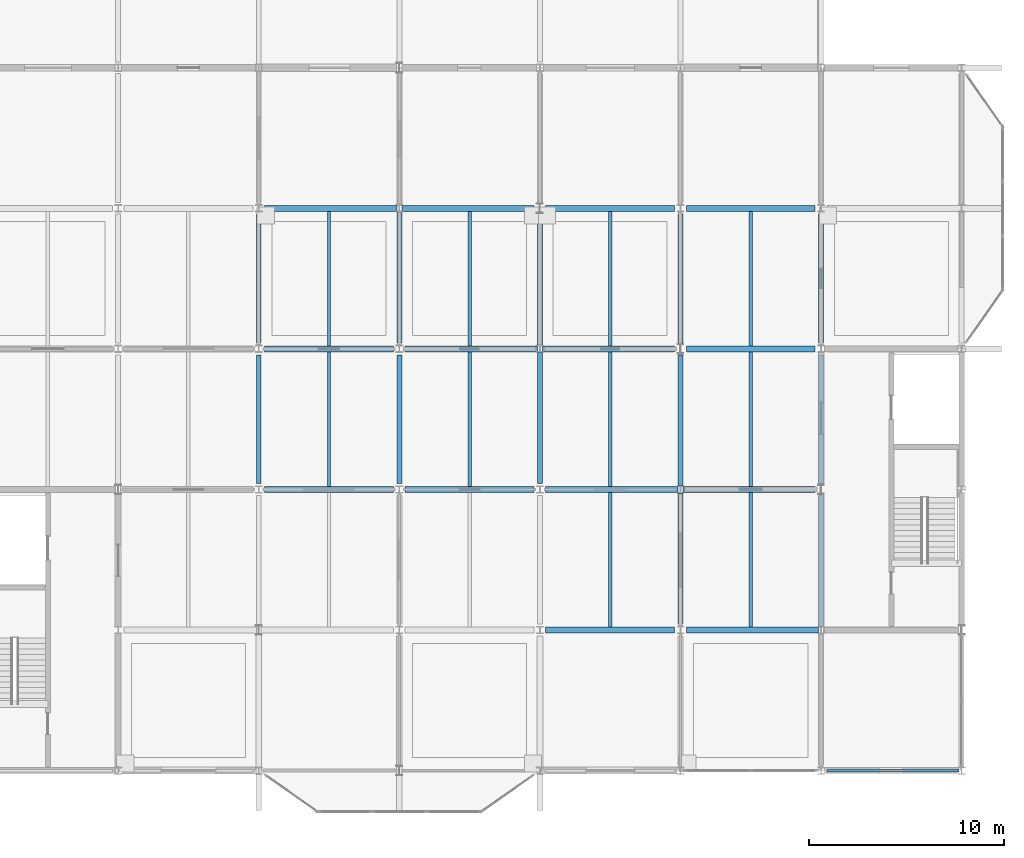
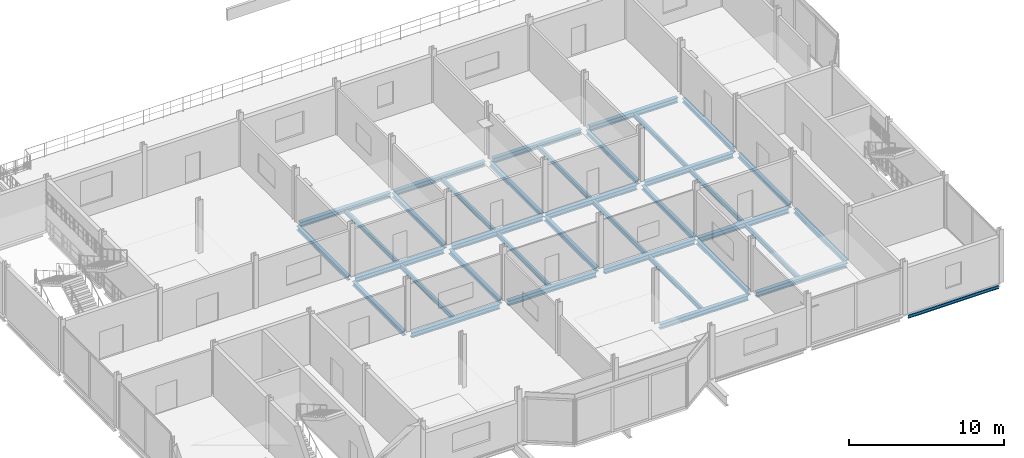
# One storey, part 12 of 26: 37 beams.
"""IFC4 building model written with IfcOpenShell, lengths in metres."""

from ifc_helpers import new_model, si_unit, direction, frame, origin, origin_2d, place, context, subcontext, project, spatial, i_section, extrude, material, material_profile, profile_set, type_object, element, save


model = new_model("IFC4")

# Units and contexts
model_context = context("Model", 3, precision=1e-05, world=origin(), true_north=direction((0.0, 1.0)))
body_context = subcontext(model_context, "Body", "Model", "MODEL_VIEW")
ifc_project = project(units=[si_unit("LENGTHUNIT", "METRE"), si_unit("AREAUNIT", "SQUARE_METRE"), si_unit("VOLUMEUNIT", "CUBIC_METRE"), si_unit("PLANEANGLEUNIT", "RADIAN"), si_unit("MASSUNIT", "GRAM", prefix="KILO")], contexts=[model_context])

# Site, building, storey
site_placement = place(None, origin())
site = spatial("IfcSite", under=ifc_project, at=site_placement, CompositionType="ELEMENT")
building_placement = place(site_placement, origin())
building = spatial("IfcBuilding", under=site, at=building_placement, Name="Vesperath Aquatics Centre", CompositionType="ELEMENT")
storey_placement = place(building_placement, frame((0.0, 0.0, 19.199951171875)))
storey = spatial("IfcBuildingStorey", under=building, at=storey_placement, Name="L04", CompositionType="ELEMENT", Elevation=19.199951171875)

# Beams
ifc_material = material(Name="Steel Q355C", Category="steel")
ifc_material_profile_1 = material_profile(ifc_material, i_section(OverallWidth=0.300048828125, OverallDepth=0.389892578125, WebThickness=0.010009765625, FlangeThickness=0.01611328125, FilletRadius=0.02197265625, at=origin_2d()), Name="HM 390x300x10x16")
ifc_profile_set_1 = profile_set([ifc_material_profile_1], Name="Steel Q355C")
beam_type_1 = type_object("IfcBeamType", Name="BM-G11", PredefinedType="BEAM", material=ifc_profile_set_1)
for number, where, z_axis, x_axis, name in (
    (1, (137.10009765625, 14.39990234375, -0.43505859375), (1.0, 0.0, 0.0), (0.0, 1.0, 0.0), "Floor Girder B11 L04 C 20-21"),
    (2, (137.10009765625, 21.60009765625, -0.43505859375), (1.0, 0.0, 0.0), (0.0, 1.0, 0.0), "Floor Girder B11 L04 D 20-21"),
):
    element("IfcBeam", number, at=place(storey_placement, frame(where, z_axis=z_axis, x_axis=x_axis)), inside=storey, type_object=beam_type_1, Name=name, PredefinedType="BEAM", context=body_context, shape_type="SweptSolid", body=[
        extrude(i_section(OverallWidth=0.300048828125, OverallDepth=0.389892578125, WebThickness=0.010009765625, FlangeThickness=0.01611328125, FilletRadius=0.02197265625, at=origin_2d()), origin(), (0.0, 0.0, 1.0), 6.599853515625),
    ])
beam_1_placement = place(storey_placement, frame((137.10009765625, 28.800048828125, -0.43505859375), z_axis=(1.0, 0.0, 0.0), x_axis=(0.0, 1.0, 0.0)))
element("IfcBeam", 3, at=beam_1_placement, inside=storey, type_object=beam_type_1, Name="Floor Girder B11 L04 E 20-21", PredefinedType="BEAM", context=body_context, shape_type="SweptSolid", body=[
    extrude(i_section(OverallWidth=0.300048828125, OverallDepth=0.389892578125, WebThickness=0.010009765625, FlangeThickness=0.01611328125, FilletRadius=0.02197265625, at=origin_2d()), origin(), (0.0, 0.0, 1.0), 6.77490234375),
])
beam_2_placement = place(storey_placement, frame((144.300048828125, 14.39990234375, -0.43505859375), z_axis=(1.0, 0.0, 0.0), x_axis=(0.0, 1.0, 0.0)))
element("IfcBeam", 4, at=beam_2_placement, inside=storey, type_object=beam_type_1, Name="Floor Girder B11 L04 C 21-22", PredefinedType="BEAM", context=body_context, shape_type="SweptSolid", body=[
    extrude(i_section(OverallWidth=0.300048828125, OverallDepth=0.389892578125, WebThickness=0.010009765625, FlangeThickness=0.01611328125, FilletRadius=0.02197265625, at=origin_2d()), origin(), (0.0, 0.0, 1.0), 6.599853515625),
])
for number, where, z_axis, x_axis, name in (
    (5, (144.300048828125, 21.60009765625, -0.43505859375), (1.0, 0.0, 0.0), (0.0, 1.0, 0.0), "Floor Girder B11 L04 D 21-22"),
    (6, (144.125, 28.800048828125, -0.43505859375), (1.0, 0.0, 0.0), (0.0, 1.0, 0.0), "Floor Girder B11 L04 E 21-22"),
):
    element("IfcBeam", number, at=place(storey_placement, frame(where, z_axis=z_axis, x_axis=x_axis)), inside=storey, type_object=beam_type_1, Name=name, PredefinedType="BEAM", context=body_context, shape_type="SweptSolid", body=[
        extrude(i_section(OverallWidth=0.300048828125, OverallDepth=0.389892578125, WebThickness=0.010009765625, FlangeThickness=0.01611328125, FilletRadius=0.02197265625, at=origin_2d()), origin(), (0.0, 0.0, 1.0), 6.77490234375),
    ])
beam_3_placement = place(storey_placement, frame((151.5, 7.199951171875, -0.43505859375), z_axis=(1.0, 0.0, 0.0), x_axis=(0.0, 1.0, 0.0)))
element("IfcBeam", 7, at=beam_3_placement, inside=storey, type_object=beam_type_1, Name="Floor Girder B11 L04 B 22-23", PredefinedType="BEAM", context=body_context, shape_type="SweptSolid", body=[
    extrude(i_section(OverallWidth=0.300048828125, OverallDepth=0.389892578125, WebThickness=0.010009765625, FlangeThickness=0.01611328125, FilletRadius=0.02197265625, at=origin_2d()), origin(), (0.0, 0.0, 1.0), 6.60009765625),
])
beam_4_placement = place(storey_placement, frame((151.5, 14.39990234375, -0.43505859375), z_axis=(1.0, 0.0, 0.0), x_axis=(0.0, 1.0, 0.0)))
element("IfcBeam", 8, at=beam_4_placement, inside=storey, type_object=beam_type_1, Name="Floor Girder B11 L04 C 22-23", PredefinedType="BEAM", context=body_context, shape_type="SweptSolid", body=[
    extrude(i_section(OverallWidth=0.300048828125, OverallDepth=0.389892578125, WebThickness=0.010009765625, FlangeThickness=0.01611328125, FilletRadius=0.02197265625, at=origin_2d()), origin(), (0.0, 0.0, 1.0), 6.77490234375),
])
beam_5_placement = place(storey_placement, frame((151.324951171875, 21.60009765625, -0.43505859375), z_axis=(1.0, 0.0, 0.0), x_axis=(0.0, 1.0, 0.0)))
element("IfcBeam", 9, at=beam_5_placement, inside=storey, type_object=beam_type_1, Name="Floor Girder B11 L04 D 22-23", PredefinedType="BEAM", context=body_context, shape_type="SweptSolid", body=[
    extrude(i_section(OverallWidth=0.300048828125, OverallDepth=0.389892578125, WebThickness=0.010009765625, FlangeThickness=0.01611328125, FilletRadius=0.02197265625, at=origin_2d()), origin(), (0.0, 0.0, 1.0), 6.775146484375),
])
beam_6_placement = place(storey_placement, frame((151.5, 28.800048828125, -0.43505859375), z_axis=(1.0, 0.0, 0.0), x_axis=(0.0, 1.0, 0.0)))
element("IfcBeam", 10, at=beam_6_placement, inside=storey, type_object=beam_type_1, Name="Floor Girder B11 L04 E 22-23", PredefinedType="BEAM", context=body_context, shape_type="SweptSolid", body=[
    extrude(i_section(OverallWidth=0.300048828125, OverallDepth=0.389892578125, WebThickness=0.010009765625, FlangeThickness=0.01611328125, FilletRadius=0.02197265625, at=origin_2d()), origin(), (0.0, 0.0, 1.0), 6.60009765625),
])
for number, where, z_axis, x_axis, name in (
    (11, (158.699951171875, 7.199951171875, -0.43505859375), (1.0, 0.0, 0.0), (0.0, 1.0, 0.0), "Floor Girder B11 L04 B 23-24"),
    (12, (158.52490234375, 14.39990234375, -0.43505859375), (1.0, 0.0, 0.0), (0.0, 1.0, 0.0), "Floor Girder B11 L04 C 23-24"),
):
    element("IfcBeam", number, at=place(storey_placement, frame(where, z_axis=z_axis, x_axis=x_axis)), inside=storey, type_object=beam_type_1, Name=name, PredefinedType="BEAM", context=body_context, shape_type="SweptSolid", body=[
        extrude(i_section(OverallWidth=0.300048828125, OverallDepth=0.389892578125, WebThickness=0.010009765625, FlangeThickness=0.01611328125, FilletRadius=0.02197265625, at=origin_2d()), origin(), (0.0, 0.0, 1.0), 6.775146484375),
    ])
for number, where, z_axis, x_axis, name in (
    (13, (158.699951171875, 21.60009765625, -0.43505859375), (1.0, 0.0, 0.0), (0.0, 1.0, 0.0), "Floor Girder B11 L04 D 23-24"),
    (14, (158.699951171875, 28.800048828125, -0.43505859375), (1.0, 0.0, 0.0), (0.0, 1.0, 0.0), "Floor Girder B11 L04 E 23-24"),
):
    element("IfcBeam", number, at=place(storey_placement, frame(where, z_axis=z_axis, x_axis=x_axis)), inside=storey, type_object=beam_type_1, Name=name, PredefinedType="BEAM", context=body_context, shape_type="SweptSolid", body=[
        extrude(i_section(OverallWidth=0.300048828125, OverallDepth=0.389892578125, WebThickness=0.010009765625, FlangeThickness=0.01611328125, FilletRadius=0.02197265625, at=origin_2d()), origin(), (0.0, 0.0, 1.0), 6.60009765625),
    ])
ifc_material_profile_2 = material_profile(ifc_material, i_section(OverallWidth=0.25, OverallDepth=0.340087890625, WebThickness=0.009033203125, FlangeThickness=0.013916015625, FilletRadius=0.02001953125, at=origin_2d()), Name="HM 340x250x9x14")
ifc_profile_set_2 = profile_set([ifc_material_profile_2], Name="Steel Q355C")
beam_type_2 = type_object("IfcBeamType", Name="BM-G12", PredefinedType="BEAM", material=ifc_profile_set_2)
for number, where, z_axis, x_axis, name in (
    (15, (136.800048828125, 14.699951171875, -0.409912109375), (0.0, 1.0, 0.0), (-1.0, 0.0, 0.0), "Floor Girder B12 L04 20 C-D"),
    (16, (136.800048828125, 21.89990234375, -0.409912109375), (0.0, 1.0, 0.0), (-1.0, 0.0, 0.0), "Floor Girder B12 L04 20 D-E"),
    (17, (144.0, 14.699951171875, -0.409912109375), (0.0, 1.0, 0.0), (-1.0, 0.0, 0.0), "Floor Girder B12 L04 21 C-D"),
):
    element("IfcBeam", number, at=place(storey_placement, frame(where, z_axis=z_axis, x_axis=x_axis)), inside=storey, type_object=beam_type_2, Name=name, PredefinedType="BEAM", context=body_context, shape_type="SweptSolid", body=[
        extrude(i_section(OverallWidth=0.25, OverallDepth=0.340087890625, WebThickness=0.009033203125, FlangeThickness=0.013916015625, FilletRadius=0.02001953125, at=origin_2d()), origin(), (0.0, 0.0, 1.0), 6.60009765625),
    ])
for number, where, z_axis, x_axis, name in (
    (18, (144.0, 21.89990234375, -0.409912109375), (0.0, 1.0, 0.0), (-1.0, 0.0, 0.0), "Floor Girder B12 L04 21 D-E"),
    (19, (151.199951171875, 14.699951171875, -0.409912109375), (0.0, 1.0, 0.0), (-1.0, 0.0, 0.0), "Floor Girder B12 L04 22 C-D"),
    (20, (151.199951171875, 21.77490234375, -0.409912109375), (0.0, 1.0, 0.0), (-1.0, 0.0, 0.0), "Floor Girder B12 L04 22 D-E"),
    (21, (158.39990234375, 7.5, -0.409912109375), (0.0, 1.0, 0.0), (-1.0, 0.0, 0.0), "Floor Girder B12 L04 23 B-C"),
    (22, (158.39990234375, 14.574951171875, -0.409912109375), (0.0, 1.0, 0.0), (-1.0, 0.0, 0.0), "Floor Girder B12 L04 23 C-D"),
):
    element("IfcBeam", number, at=place(storey_placement, frame(where, z_axis=z_axis, x_axis=x_axis)), inside=storey, type_object=beam_type_2, Name=name, PredefinedType="BEAM", context=body_context, shape_type="SweptSolid", body=[
        extrude(i_section(OverallWidth=0.25, OverallDepth=0.340087890625, WebThickness=0.009033203125, FlangeThickness=0.013916015625, FilletRadius=0.02001953125, at=origin_2d()), origin(), (0.0, 0.0, 1.0), 6.72509765625),
    ])
beam_7_placement = place(storey_placement, frame((158.39990234375, 21.89990234375, -0.409912109375), z_axis=(0.0, 1.0, 0.0), x_axis=(-1.0, 0.0, 0.0)))
element("IfcBeam", 23, at=beam_7_placement, inside=storey, type_object=beam_type_2, Name="Floor Girder B12 L04 23 D-E", PredefinedType="BEAM", context=body_context, shape_type="SweptSolid", body=[
    extrude(i_section(OverallWidth=0.25, OverallDepth=0.340087890625, WebThickness=0.009033203125, FlangeThickness=0.013916015625, FilletRadius=0.02001953125, at=origin_2d()), origin(), (0.0, 0.0, 1.0), 6.60009765625),
])
beam_8_placement = place(storey_placement, frame((165.60009765625, 7.375, -0.409912109375), z_axis=(0.0, 1.0, 0.0), x_axis=(-1.0, 0.0, 0.0)))
element("IfcBeam", 24, at=beam_8_placement, inside=storey, type_object=beam_type_2, Name="Floor Girder B12 L04 24 B-C", PredefinedType="BEAM", context=body_context, shape_type="SweptSolid", body=[
    extrude(i_section(OverallWidth=0.25, OverallDepth=0.340087890625, WebThickness=0.009033203125, FlangeThickness=0.013916015625, FilletRadius=0.02001953125, at=origin_2d()), origin(), (0.0, 0.0, 1.0), 6.72509765625),
])
for number, where, z_axis, x_axis, name in (
    (25, (165.60009765625, 14.699951171875, -0.409912109375), (0.0, 1.0, 0.0), (-1.0, 0.0, 0.0), "Floor Girder B12 L04 24 C-D"),
    (26, (165.60009765625, 21.89990234375, -0.409912109375), (0.0, 1.0, 0.0), (-1.0, 0.0, 0.0), "Floor Girder B12 L04 24 D-E"),
):
    element("IfcBeam", number, at=place(storey_placement, frame(where, z_axis=z_axis, x_axis=x_axis)), inside=storey, type_object=beam_type_2, Name=name, PredefinedType="BEAM", context=body_context, shape_type="SweptSolid", body=[
        extrude(i_section(OverallWidth=0.25, OverallDepth=0.340087890625, WebThickness=0.009033203125, FlangeThickness=0.013916015625, FilletRadius=0.02001953125, at=origin_2d()), origin(), (0.0, 0.0, 1.0), 6.60009765625),
    ])
ifc_material_profile_3 = material_profile(ifc_material, i_section(OverallWidth=0.175048828125, OverallDepth=0.35009765625, WebThickness=0.007080078125, FlangeThickness=0.010986328125, FilletRadius=0.012939453125, at=origin_2d()), Name="HN 350x175x7x11")
ifc_profile_set_3 = profile_set([ifc_material_profile_3], Name="Steel Q355C")
beam_type_3 = type_object("IfcBeamType", Name="BM-J05", PredefinedType="JOIST", material=ifc_profile_set_3)
for number, where, z_axis, x_axis, name in (
    (27, (140.39990234375, 14.550048828125, -0.4150390625), (0.0, 1.0, 0.0), (-1.0, 0.0, 0.0), "Secondary Floor Joist J05 L04 20/C"),
    (28, (140.39990234375, 21.75, -0.4150390625), (0.0, 1.0, 0.0), (-1.0, 0.0, 0.0), "Secondary Floor Joist J05 L04 20/D"),
    (29, (147.60009765625, 14.550048828125, -0.4150390625), (0.0, 1.0, 0.0), (-1.0, 0.0, 0.0), "Secondary Floor Joist J05 L04 21/C"),
    (30, (147.60009765625, 21.75, -0.4150390625), (0.0, 1.0, 0.0), (-1.0, 0.0, 0.0), "Secondary Floor Joist J05 L04 21/D"),
    (31, (154.800048828125, 7.35009765625, -0.4150390625), (0.0, 1.0, 0.0), (-1.0, 0.0, 0.0), "Secondary Floor Joist J05 L04 22/B"),
    (32, (154.800048828125, 14.550048828125, -0.4150390625), (0.0, 1.0, 0.0), (-1.0, 0.0, 0.0), "Secondary Floor Joist J05 L04 22/C"),
    (33, (154.800048828125, 21.75, -0.4150390625), (0.0, 1.0, 0.0), (-1.0, 0.0, 0.0), "Secondary Floor Joist J05 L04 22/D"),
    (34, (162.0, 7.35009765625, -0.4150390625), (0.0, 1.0, 0.0), (-1.0, 0.0, 0.0), "Secondary Floor Joist J05 L04 23/B"),
    (35, (162.0, 14.550048828125, -0.4150390625), (0.0, 1.0, 0.0), (-1.0, 0.0, 0.0), "Secondary Floor Joist J05 L04 23/C"),
    (36, (162.0, 21.75, -0.4150390625), (0.0, 1.0, 0.0), (-1.0, 0.0, 0.0), "Secondary Floor Joist J05 L04 23/D"),
):
    element("IfcBeam", number, at=place(storey_placement, frame(where, z_axis=z_axis, x_axis=x_axis)), inside=storey, type_object=beam_type_3, Name=name, PredefinedType="JOIST", context=body_context, shape_type="SweptSolid", body=[
        extrude(i_section(OverallWidth=0.175048828125, OverallDepth=0.35009765625, WebThickness=0.007080078125, FlangeThickness=0.010986328125, FilletRadius=0.012939453125, at=origin_2d()), origin(), (0.0, 0.0, 1.0), 6.89990234375),
    ])
ifc_material_profile_4 = material_profile(ifc_material, i_section(OverallWidth=0.125, OverallDepth=0.25, WebThickness=0.006103515625, FlangeThickness=0.009033203125, FilletRadius=0.010009765625, at=origin_2d()), Name="HN 250x125x6x9")
ifc_profile_set_4 = profile_set([ifc_material_profile_4], Name="Steel Q355C")
beam_type_4 = type_object("IfcBeamType", Name="BM-LN01", PredefinedType="LINTEL", material=ifc_profile_set_4)
beam_9_placement = place(storey_placement, frame((165.89990234375, 0.0, -0.364990234375), z_axis=(1.0, 0.0, 0.0), x_axis=(0.0, 1.0, 0.0)))
element("IfcBeam", 37, at=beam_9_placement, inside=storey, type_object=beam_type_4, Name="Floor Girder LN01 L04 A 24-25", PredefinedType="LINTEL", context=body_context, shape_type="SweptSolid", body=[
    extrude(i_section(OverallWidth=0.125, OverallDepth=0.25, WebThickness=0.006103515625, FlangeThickness=0.009033203125, FilletRadius=0.010009765625, at=origin_2d()), origin(), (0.0, 0.0, 1.0), 6.775146484375),
])

save(model, "model.ifc")
